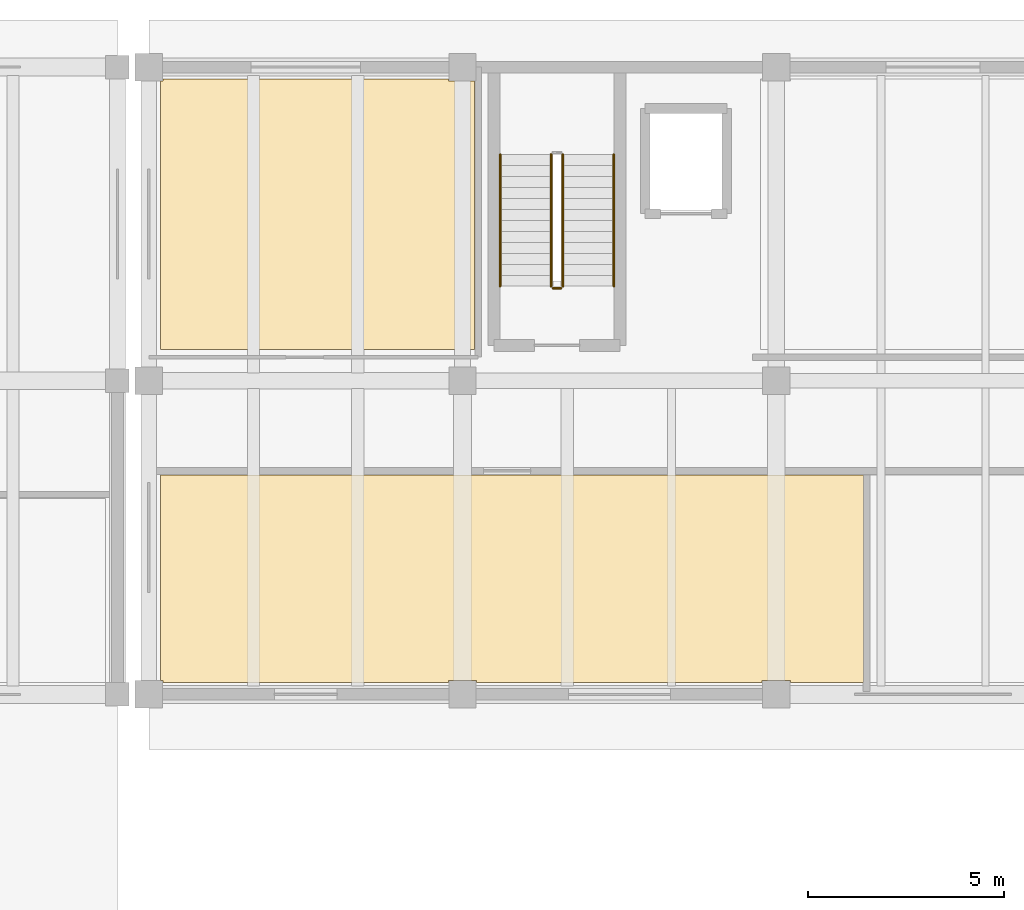
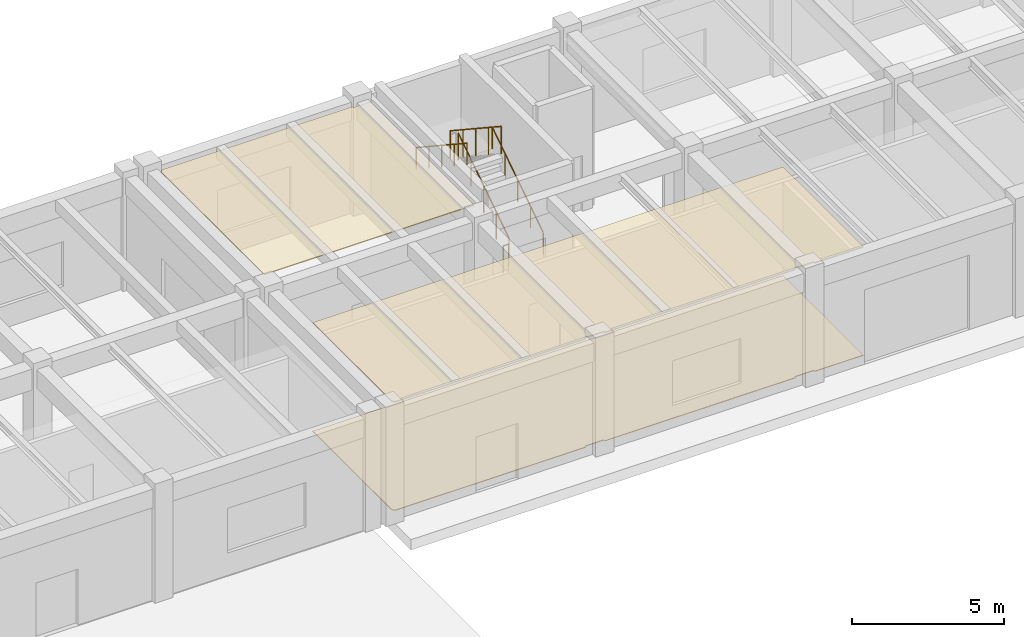
# One storey, part 59 of 64: 5 railings, 3 coverings.
"""IFC4 building model written with IfcOpenShell, lengths in metres."""

from ifc_helpers import new_model, si_unit, direction, frame, origin, origin_2d, place, context, subcontext, project, spatial, polyline, circle, outline, extrude, material, layer, layer_set, type_object, element, save


model = new_model("IFC4")

# Units and contexts
model_context = context("Model", 3, precision=1e-05, world=origin(), true_north=direction((0.0, 1.0)))
body_context = subcontext(model_context, "Body", "Model", "MODEL_VIEW")
ifc_project = project(units=[si_unit("LENGTHUNIT", "METRE"), si_unit("AREAUNIT", "SQUARE_METRE"), si_unit("VOLUMEUNIT", "CUBIC_METRE"), si_unit("PLANEANGLEUNIT", "RADIAN"), si_unit("MASSUNIT", "GRAM", prefix="KILO")], contexts=[model_context])

# Site, building, storey
site_placement = place(None, origin())
site = spatial("IfcSite", under=ifc_project, at=site_placement, CompositionType="ELEMENT")
building_placement = place(site_placement, origin())
building = spatial("IfcBuilding", under=site, at=building_placement, Name="Tlaxcora Railside Police Headquarters", CompositionType="ELEMENT")
storey_placement = place(building_placement, origin())
storey = spatial("IfcBuildingStorey", under=building, at=storey_placement, Name="L00", CompositionType="ELEMENT", Elevation=0.0)

# Coverings
ifc_material_1 = material(Name="Mineral-fibre acoustic ceiling tile")
ifc_layer_1 = layer(ifc_material_1, 0.034912109375, Name="Mineral-fibre acoustic ceiling tile")
ifc_layer_set_1 = layer_set([ifc_layer_1], Name="Mineral-fibre acoustic ceiling tile")
covering_type_1 = type_object("IfcCoveringType", Name="Acoustic Suspended Ceiling CLG-01", PredefinedType="CEILING", material=ifc_layer_set_1)
covering_1_placement = place(storey_placement, frame((0.0, 0.0, 4.364990234375)))
element("IfcCovering", 1, at=covering_1_placement, inside=storey, type_object=covering_type_1, Name="Accessible WC and Decontamination Shower L00 suspended ceiling", PredefinedType="CEILING", context=body_context, shape_type="SweptSolid", body=[
    extrude(outline(polyline([(103.10009765625, 92.43994140625), (103.10009765625, 85.60009765625), (111.10009765625, 85.60009765625), (111.10009765625, 92.43994140625), (110.43994140625, 92.43994140625), (110.43994140625, 92.5), (103.159912109375, 92.5), (103.159912109375, 92.43994140625), (103.10009765625, 92.43994140625)])), origin(), (0.0, 0.0, 1.0), 0.034912109375),
])
ifc_material_2 = material(Name="Heavy-duty resin and raised-access technical flooring")
ifc_layer_2 = layer(ifc_material_2, 0.02490234375, Name="Heavy-duty resin and raised-access technical flooring")
ifc_layer_set_2 = layer_set([ifc_layer_2], Name="Heavy-duty resin and raised-access technical flooring")
covering_type_2 = type_object("IfcCoveringType", Name="Epoxy Chemical-Resistant Lab Flooring FLR-02", PredefinedType="FLOORING", material=ifc_layer_set_2)
covering_2_placement = place(storey_placement, origin())
element("IfcCovering", 2, at=covering_2_placement, inside=storey, type_object=covering_type_2, Name="Forensic Evidence Intake and Barcoding Hall technical floor finish", PredefinedType="FLOORING", context=body_context, shape_type="SweptSolid", body=[
    extrude(outline(polyline([(121.02490234375, 82.39990234375), (103.10009765625, 82.39990234375), (103.10009765625, 77.159912109375), (103.159912109375, 77.159912109375), (103.159912109375, 77.10009765625), (110.43994140625, 77.10009765625), (110.43994140625, 77.159912109375), (111.159912109375, 77.159912109375), (111.159912109375, 77.10009765625), (118.43994140625, 77.10009765625), (118.43994140625, 77.159912109375), (119.159912109375, 77.159912109375), (119.159912109375, 77.10009765625), (121.02490234375, 77.10009765625), (121.02490234375, 82.39990234375)])), origin(), (0.0, 0.0, 1.0), 0.02490234375),
])
ifc_layer_3 = layer(ifc_material_1, 0.044921875, Name="Mineral-fibre acoustic ceiling tile")
ifc_layer_set_3 = layer_set([ifc_layer_3], Name="Mineral-fibre acoustic ceiling tile")
covering_type_3 = type_object("IfcCoveringType", Name="Laboratory Hygienic Ceiling CLG-02", PredefinedType="CEILING", material=ifc_layer_set_3)
covering_3_placement = place(storey_placement, frame((0.0, 0.0, 4.35498046875)))
element("IfcCovering", 3, at=covering_3_placement, inside=storey, type_object=covering_type_3, Name="Forensic Evidence Intake and Barcoding Hall suspended ceiling", PredefinedType="CEILING", context=body_context, shape_type="SweptSolid", body=[
    extrude(outline(polyline([(121.02490234375, 82.39990234375), (103.10009765625, 82.39990234375), (103.10009765625, 77.159912109375), (103.159912109375, 77.159912109375), (103.159912109375, 77.10009765625), (110.43994140625, 77.10009765625), (110.43994140625, 77.159912109375), (111.159912109375, 77.159912109375), (111.159912109375, 77.10009765625), (118.43994140625, 77.10009765625), (118.43994140625, 77.159912109375), (119.159912109375, 77.159912109375), (119.159912109375, 77.10009765625), (121.02490234375, 77.10009765625), (121.02490234375, 82.39990234375)])), origin(), (0.0, 0.0, 1.0), 0.044921875),
])

# Railings
ifc_material_3 = material(Name="Steel ASTM A992 Grade 50", Category="steel")
railing_type_1 = type_object("IfcRailingType", Name="Stair Well Guard Balustrade GR-02", PredefinedType="BALUSTRADE", material=ifc_material_3)
railing_1_placement = place(storey_placement, frame((113.360107421875, 87.2099609375, 0.1845703125)))
element("IfcRailing", 4, at=railing_1_placement, inside=storey, type_object=railing_type_1, Name="L00 ST3 stair guard 1", PredefinedType="BALUSTRADE", context=body_context, shape_type="SweptSolid", body=[
    extrude(circle(Radius=0.02392578125, at=origin_2d()), frame((0.0, 0.0, 1.09619140625), z_axis=(0.0, 0.834876476806, 0.550437342915), x_axis=(-1.0, 0.0, 0.0)), (0.0, 0.0, 1.0), 4.024658203125),
    extrude(circle(Radius=0.02099609375, at=origin_2d()), origin(), (0.0, 0.0, 1.0), 1.072021484375),
    extrude(circle(Radius=0.02099609375, at=origin_2d()), frame((0.0, 0.840087890625, 0.5537109375)), (0.0, 0.0, 1.0), 1.072021484375),
    extrude(circle(Radius=0.02099609375, at=origin_2d()), frame((0.0, 1.68017578125, 1.107666015625)), (0.0, 0.0, 1.0), 1.072021484375),
    extrude(circle(Radius=0.02099609375, at=origin_2d()), frame((0.0, 2.52001953125, 1.66162109375)), (0.0, 0.0, 1.0), 1.072021484375),
    extrude(circle(Radius=0.02099609375, at=origin_2d()), frame((0.0, 3.360107421875, 2.21533203125)), (0.0, 0.0, 1.0), 1.072021484375),
])
railing_2_placement = place(storey_placement, frame((113.06005859375, 90.570068359375, 2.584716796875)))
element("IfcRailing", 5, at=railing_2_placement, inside=storey, type_object=railing_type_1, Name="L00 ST3 stair guard 3", PredefinedType="BALUSTRADE", context=body_context, shape_type="SweptSolid", body=[
    extrude(circle(Radius=0.02392578125, at=origin_2d()), frame((0.0, 0.0, 1.09619140625), z_axis=(0.0, -0.834876476806, 0.550437342915), x_axis=(1.0, 0.0, 0.0)), (0.0, 0.0, 1.0), 4.024658203125),
    extrude(circle(Radius=0.02099609375, at=origin_2d()), origin(), (0.0, 0.0, 1.0), 1.072021484375),
    extrude(circle(Radius=0.02099609375, at=origin_2d()), frame((0.0, -0.840087890625, 0.5537109375)), (0.0, 0.0, 1.0), 1.072021484375),
    extrude(circle(Radius=0.02099609375, at=origin_2d()), frame((0.0, -1.68017578125, 1.107666015625)), (0.0, 0.0, 1.0), 1.072021484375),
    extrude(circle(Radius=0.02099609375, at=origin_2d()), frame((0.0, -2.52001953125, 1.66162109375)), (0.0, 0.0, 1.0), 1.072021484375),
    extrude(circle(Radius=0.02099609375, at=origin_2d()), frame((0.0, -3.360107421875, 2.21533203125)), (0.0, 0.0, 1.0), 1.072021484375),
])
railing_3_placement = place(storey_placement, frame((113.31005859375, 87.159912109375, 0.0)))
element("IfcRailing", 6, at=railing_3_placement, inside=storey, type_object=railing_type_1, Name="L00 ST3 stair guard 4", PredefinedType="BALUSTRADE", context=body_context, shape_type="SweptSolid", body=[
    extrude(circle(Radius=0.02392578125, at=origin_2d()), frame((0.0, 0.0, 1.09619140625), z_axis=(-1.0, 0.0, 0.0), x_axis=(0.0, -1.0, 0.0)), (0.0, 0.0, 1.0), 0.199951171875),
    extrude(circle(Radius=0.02099609375, at=origin_2d()), origin(), (0.0, 0.0, 1.0), 1.072021484375),
    extrude(circle(Radius=0.02099609375, at=origin_2d()), frame((-0.199951171875, 0.0, 0.0)), (0.0, 0.0, 1.0), 1.072021484375),
])
railing_type_2 = type_object("IfcRailingType", Name="Stair and Ramp Handrail HR-01", PredefinedType="HANDRAIL", material=ifc_material_3)
railing_4_placement = place(storey_placement, frame((114.659912109375, 87.2099609375, 0.1845703125)))
element("IfcRailing", 7, at=railing_4_placement, inside=storey, type_object=railing_type_2, Name="L00 ST3 stair handrail 1", PredefinedType="HANDRAIL", context=body_context, shape_type="SweptSolid", body=[
    extrude(circle(Radius=0.02392578125, at=origin_2d()), frame((0.0, 0.0, 0.8759765625), z_axis=(0.0, 0.834876476806, 0.550437342915), x_axis=(-1.0, 0.0, 0.0)), (0.0, 0.0, 1.0), 4.024658203125),
    extrude(circle(Radius=0.02099609375, at=origin_2d()), origin(), (0.0, 0.0, 1.0), 0.851806640625),
    extrude(circle(Radius=0.02099609375, at=origin_2d()), frame((0.0, 0.840087890625, 0.5537109375)), (0.0, 0.0, 1.0), 0.851806640625),
    extrude(circle(Radius=0.02099609375, at=origin_2d()), frame((0.0, 1.68017578125, 1.107666015625)), (0.0, 0.0, 1.0), 0.851806640625),
    extrude(circle(Radius=0.02099609375, at=origin_2d()), frame((0.0, 2.52001953125, 1.66162109375)), (0.0, 0.0, 1.0), 0.851806640625),
    extrude(circle(Radius=0.02099609375, at=origin_2d()), frame((0.0, 3.360107421875, 2.21533203125)), (0.0, 0.0, 1.0), 0.851806640625),
])
railing_5_placement = place(storey_placement, frame((111.760009765625, 90.570068359375, 2.584716796875)))
element("IfcRailing", 8, at=railing_5_placement, inside=storey, type_object=railing_type_2, Name="L00 ST3 stair handrail 2", PredefinedType="HANDRAIL", context=body_context, shape_type="SweptSolid", body=[
    extrude(circle(Radius=0.02392578125, at=origin_2d()), frame((0.0, 0.0, 0.8759765625), z_axis=(0.0, -0.834876476806, 0.550437342915), x_axis=(1.0, 0.0, 0.0)), (0.0, 0.0, 1.0), 4.024658203125),
    extrude(circle(Radius=0.02099609375, at=origin_2d()), origin(), (0.0, 0.0, 1.0), 0.851806640625),
    extrude(circle(Radius=0.02099609375, at=origin_2d()), frame((0.0, -0.840087890625, 0.5537109375)), (0.0, 0.0, 1.0), 0.851806640625),
    extrude(circle(Radius=0.02099609375, at=origin_2d()), frame((0.0, -1.68017578125, 1.107666015625)), (0.0, 0.0, 1.0), 0.851806640625),
    extrude(circle(Radius=0.02099609375, at=origin_2d()), frame((0.0, -2.52001953125, 1.66162109375)), (0.0, 0.0, 1.0), 0.851806640625),
    extrude(circle(Radius=0.02099609375, at=origin_2d()), frame((0.0, -3.360107421875, 2.21533203125)), (0.0, 0.0, 1.0), 0.851806640625),
])

save(model, "model.ifc")
